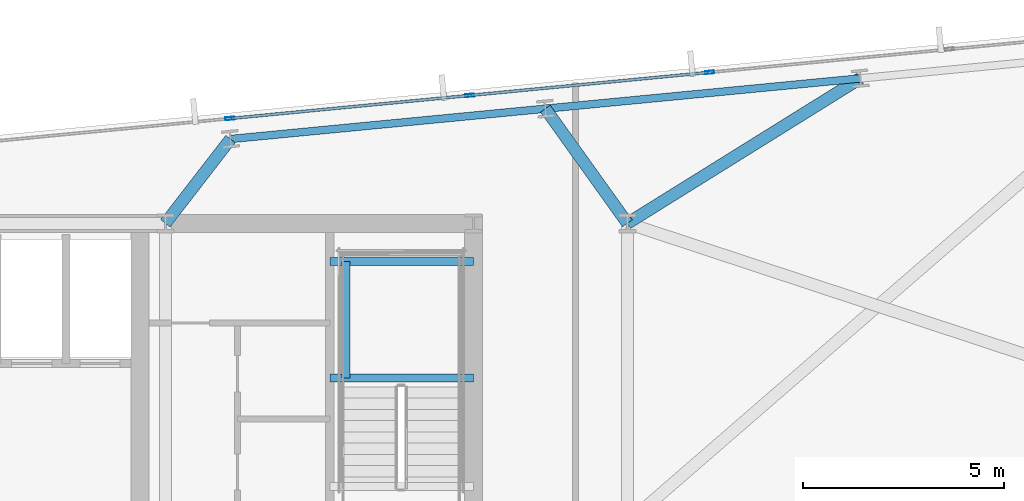
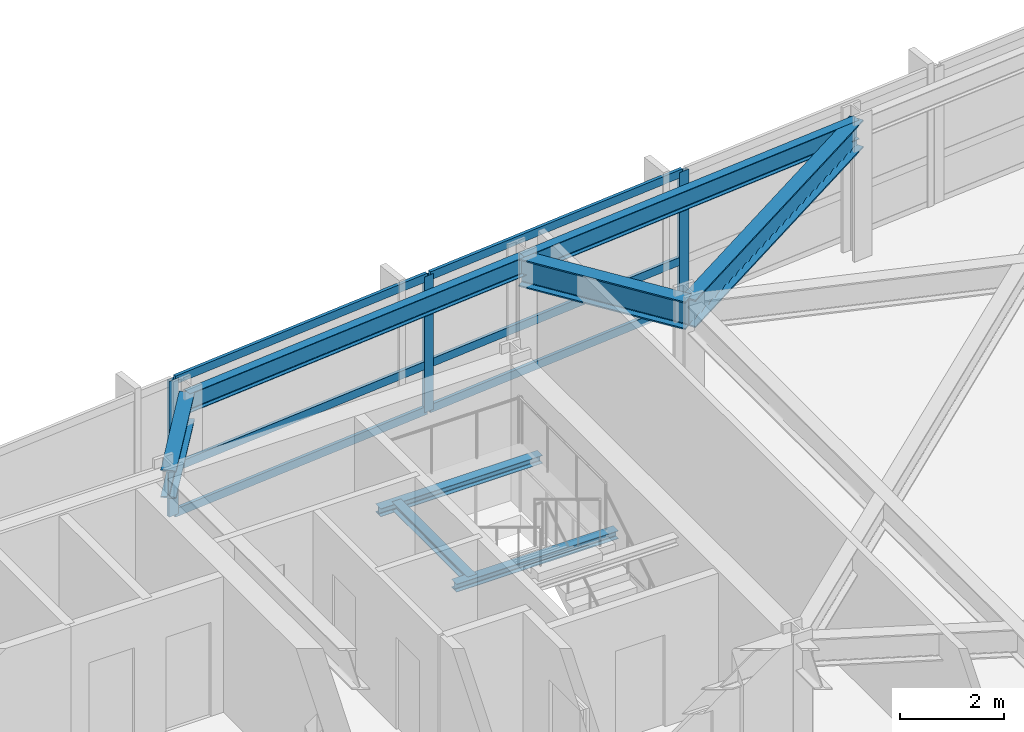
# One storey, part 21 of 33: 9 members, 8 beams, 1 element without a shape of its own.
"""IFC4 building model written with IfcOpenShell, lengths in metres."""

from ifc_helpers import new_model, si_unit, direction, frame, origin, origin_2d, place, context, subcontext, project, spatial, hollow_rectangle, i_section, extrude, material, material_profile, profile_set, type_object, element, aggregate, save


model = new_model("IFC4")

# Units and contexts
model_context = context("Model", 3, precision=1e-05, world=origin(), true_north=direction((0.0, 1.0)))
body_context = subcontext(model_context, "Body", "Model", "MODEL_VIEW")
ifc_project = project(units=[si_unit("LENGTHUNIT", "METRE"), si_unit("AREAUNIT", "SQUARE_METRE"), si_unit("VOLUMEUNIT", "CUBIC_METRE"), si_unit("PLANEANGLEUNIT", "RADIAN"), si_unit("MASSUNIT", "GRAM", prefix="KILO")], contexts=[model_context])

# Site, building, storey
site_placement = place(None, origin())
site = spatial("IfcSite", under=ifc_project, at=site_placement, CompositionType="ELEMENT")
building_placement = place(site_placement, origin())
building = spatial("IfcBuilding", under=site, at=building_placement, Name="Yelkora Congress Tower", CompositionType="ELEMENT")
storey_placement = place(building_placement, frame((0.0, 0.0, 89.699951171875)))
storey = spatial("IfcBuildingStorey", under=building, at=storey_placement, Name="L23", CompositionType="ELEMENT", Elevation=89.699951171875)

# Beams
ifc_material_1 = material(Name="Steel S355J2", Category="steel")
ifc_material_profile_1 = material_profile(ifc_material_1, i_section(OverallWidth=0.300048828125, OverallDepth=0.64990234375, WebThickness=0.01611328125, FlangeThickness=0.031005859375, FilletRadius=0.027099609375, at=origin_2d()), Name="HEB 650")
ifc_profile_set_1 = profile_set([ifc_material_profile_1], Name="Steel S355J2")
beam_type_1 = type_object("IfcBeamType", Name="BM-GIRD-HEB650", PredefinedType="BEAM", material=ifc_profile_set_1)
beam_1_placement = place(storey_placement, frame((47.70458984375, 48.300537109375, 2.85498046875), z_axis=(-0.611761448665, -0.791042306029, 0.0), x_axis=(0.791042306029, -0.611761448665, 0.0)))
element("IfcBeam", 1, at=beam_1_placement, inside=storey, type_object=beam_type_1, Name="L23 Primary Frame Girder N05", PredefinedType="BEAM", context=body_context, shape_type="SweptSolid", body=[
    extrude(i_section(OverallWidth=0.300048828125, OverallDepth=0.64990234375, WebThickness=0.01611328125, FlangeThickness=0.031005859375, FilletRadius=0.027099609375, at=origin_2d()), origin(), (0.0, 0.0, 1.0), 2.655517578125),
])
beam_2_placement = place(storey_placement, frame((55.553955078125, 49.056396484375, 2.85498046875), z_axis=(0.582335305303, -0.81294870207, 0.0), x_axis=(0.81294870207, 0.582335305303, 0.0)))
element("IfcBeam", 2, at=beam_2_placement, inside=storey, type_object=beam_type_1, Name="L23 Primary Frame Girder N06", PredefinedType="BEAM", context=body_context, shape_type="SweptSolid", body=[
    extrude(i_section(OverallWidth=0.300048828125, OverallDepth=0.64990234375, WebThickness=0.01611328125, FlangeThickness=0.031005859375, FilletRadius=0.027099609375, at=origin_2d()), origin(), (0.0, 0.0, 1.0), 3.513671875),
])
beam_3_placement = place(storey_placement, frame((63.4033203125, 49.81201171875, 2.85498046875), z_axis=(-0.848980050527, -0.528424898929, 0.0), x_axis=(0.528424898929, -0.848980050527, 0.0)))
element("IfcBeam", 3, at=beam_3_placement, inside=storey, type_object=beam_type_1, Name="L23 Primary Frame Girder N07", PredefinedType="BEAM", context=body_context, shape_type="SweptSolid", body=[
    extrude(i_section(OverallWidth=0.300048828125, OverallDepth=0.64990234375, WebThickness=0.01611328125, FlangeThickness=0.031005859375, FilletRadius=0.027099609375, at=origin_2d()), origin(), (0.0, 0.0, 1.0), 6.83544921875),
])
ifc_material_profile_2 = material_profile(ifc_material_1, i_section(OverallWidth=0.199951171875, OverallDepth=0.18994140625, WebThickness=0.006591796875, FlangeThickness=0.010009765625, FilletRadius=0.01806640625, at=origin_2d()), Name="HEA 200")
ifc_profile_set_2 = profile_set([ifc_material_profile_2], Name="Steel S355J2")
beam_type_2 = type_object("IfcBeamType", Name="BM-LAND-HEA200", PredefinedType="BEAM", material=ifc_profile_set_2)
for number, where, z_axis, x_axis, name in (
    (4, (50.179931640625, 42.340087890625, 1.384765625), (1.0, 0.0, 0.0), (0.0, 1.0, 0.0), "ST-02 L23 Landing Header Beam 1S"),
    (5, (50.179931640625, 45.25, 1.384765625), (1.0, 0.0, 0.0), (0.0, 1.0, 0.0), "ST-02 L23 Landing Header Beam 1N"),
):
    element("IfcBeam", number, at=place(storey_placement, frame(where, z_axis=z_axis, x_axis=x_axis)), inside=storey, type_object=beam_type_2, Name=name, PredefinedType="BEAM", context=body_context, shape_type="SweptSolid", body=[
        extrude(i_section(OverallWidth=0.199951171875, OverallDepth=0.18994140625, WebThickness=0.006591796875, FlangeThickness=0.010009765625, FilletRadius=0.01806640625, at=origin_2d()), origin(), (0.0, 0.0, 1.0), 3.580078125),
    ])
beam_4_placement = place(storey_placement, frame((50.580078125, 42.340087890625, 1.384765625), z_axis=(0.0, 1.0, 0.0), x_axis=(-1.0, 0.0, 0.0)))
element("IfcBeam", 6, at=beam_4_placement, inside=storey, type_object=beam_type_2, Name="ST-02 L23 Landing Trimmer Beam 1M", PredefinedType="BEAM", context=body_context, shape_type="SweptSolid", body=[
    extrude(i_section(OverallWidth=0.199951171875, OverallDepth=0.18994140625, WebThickness=0.006591796875, FlangeThickness=0.010009765625, FilletRadius=0.01806640625, at=origin_2d()), origin(), (0.0, 0.0, 1.0), 2.909912109375),
])
ifc_material_profile_3 = material_profile(ifc_material_1, i_section(OverallWidth=0.18994140625, OverallDepth=0.449951171875, WebThickness=0.009521484375, FlangeThickness=0.0146484375, FilletRadius=0.02099609375, at=origin_2d()), Name="IPE 450")
ifc_profile_set_3 = profile_set([ifc_material_profile_3], Name="Steel S355J2")
beam_type_3 = type_object("IfcBeamType", Name="BM-SPAN-IPE450", PredefinedType="SPANDREL", material=ifc_profile_set_3)
for number, where, z_axis, x_axis, name in (
    (7, (63.4033203125, 49.81201171875, 2.955078125), (-0.995398529126, -0.09582154358, 0.0), (0.09582154358, -0.995398529126, 0.0), "L23 Perimeter Beam 15"),
    (8, (55.553955078125, 49.056396484375, 2.955078125), (-0.995395575667, -0.095852219286, 0.0), (0.095852219286, -0.995395575667, 0.0), "L23 Perimeter Beam 16"),
):
    element("IfcBeam", number, at=place(storey_placement, frame(where, z_axis=z_axis, x_axis=x_axis)), inside=storey, type_object=beam_type_3, Name=name, PredefinedType="SPANDREL", context=body_context, shape_type="SweptSolid", body=[
        extrude(i_section(OverallWidth=0.18994140625, OverallDepth=0.449951171875, WebThickness=0.009521484375, FlangeThickness=0.0146484375, FilletRadius=0.02099609375, at=origin_2d()), origin(), (0.0, 0.0, 1.0), 7.8857421875),
    ])

# Curtain wall, members
ifc_material_2 = material(Name="Anodised aluminium and insulated glass", Category="aluminium")
curtain_wall_type = type_object("IfcCurtainWallType", Name="CW-SYS-SKY", PredefinedType="NOTDEFINED", material=ifc_material_2)
curtain_wall_placement = place(storey_placement, origin())
curtain_wall = element("IfcCurtainWall", 9, at=curtain_wall_placement, inside=storey, type_object=curtain_wall_type, Name="L23 Unitised Curtain Wall 10 (3)", PredefinedType="NOTDEFINED")
ifc_material_3 = material(Name="Anodised aluminium 6063-T6", Category="aluminium")
ifc_material_profile_4 = material_profile(ifc_material_3, hollow_rectangle(XDim=0.074951171875, YDim=0.219970703125, WallThickness=0.0048828125, at=origin_2d()), Name="ALU 75x220x5")
ifc_profile_set_4 = profile_set([ifc_material_profile_4], Name="Anodised aluminium 6063-T6")
member_type_1 = type_object("IfcMemberType", Name="MEM-ML-SKY", PredefinedType="MULLION", material=ifc_profile_set_4)
member_1_placement = place(storey_placement, frame((47.68603515625, 48.81103515625, 0.0), z_axis=(0.0, 0.0, 1.0), x_axis=(-0.095845465919, 0.995396225964, 0.0)))
member_1 = element("IfcMember", 10, at=member_1_placement, type_object=member_type_1, Name="CW-SKY mullion 5", PredefinedType="MULLION", context=body_context, shape_type="SweptSolid", body=[
    extrude(hollow_rectangle(XDim=0.074951171875, YDim=0.219970703125, WallThickness=0.0048828125, at=origin_2d()), origin(), (0.0, 0.0, 1.0), 3.179931640625),
])
member_2_placement = place(storey_placement, frame((53.66748046875, 49.386962890625, 0.0), z_axis=(0.0, 0.0, 1.0), x_axis=(-0.095845465919, 0.995396225964, 0.0)))
member_2 = element("IfcMember", 11, at=member_2_placement, type_object=member_type_1, Name="CW-SKY mullion 6", PredefinedType="MULLION", context=body_context, shape_type="SweptSolid", body=[
    extrude(hollow_rectangle(XDim=0.074951171875, YDim=0.219970703125, WallThickness=0.0048828125, at=origin_2d()), origin(), (0.0, 0.0, 1.0), 3.179931640625),
])
member_3_placement = place(storey_placement, frame((59.64892578125, 49.962890625, 0.0), z_axis=(0.0, 0.0, 1.0), x_axis=(-0.095845465919, 0.995396225964, 0.0)))
member_3 = element("IfcMember", 12, at=member_3_placement, type_object=member_type_1, Name="CW-SKY mullion 7", PredefinedType="MULLION", context=body_context, shape_type="SweptSolid", body=[
    extrude(hollow_rectangle(XDim=0.074951171875, YDim=0.219970703125, WallThickness=0.0048828125, at=origin_2d()), origin(), (0.0, 0.0, 1.0), 3.179931640625),
])
ifc_material_profile_5 = material_profile(ifc_material_3, hollow_rectangle(XDim=0.070068359375, YDim=0.18994140625, WallThickness=0.00390625, at=origin_2d()), Name="ALU 70x190x4")
ifc_profile_set_5 = profile_set([ifc_material_profile_5], Name="Anodised aluminium 6063-T6")
member_type_2 = type_object("IfcMemberType", Name="MEM-TR-SKY", PredefinedType="USERDEFINED", material=ifc_profile_set_5)
member_4_placement = place(storey_placement, frame((47.723388671875, 48.814697265625, 0.03515625), z_axis=(0.995394695823, 0.09586135576, 0.0), x_axis=(-0.09586135576, 0.995394695823, 0.0)))
member_4 = element("IfcMember", 13, at=member_4_placement, type_object=member_type_2, Name="CW-SKY transom 5.1", ObjectType="TRANSOM", PredefinedType="USERDEFINED", context=body_context, shape_type="SweptSolid", body=[
    extrude(hollow_rectangle(XDim=0.070068359375, YDim=0.18994140625, WallThickness=0.00390625, at=origin_2d()), origin(), (0.0, 0.0, 1.0), 5.93408203125),
])
member_5_placement = place(storey_placement, frame((47.723388671875, 48.814697265625, 1.10009765625), z_axis=(0.995394695823, 0.09586135576, 0.0), x_axis=(-0.09586135576, 0.995394695823, 0.0)))
member_5 = element("IfcMember", 14, at=member_5_placement, type_object=member_type_2, Name="CW-SKY transom 5.2", ObjectType="TRANSOM", PredefinedType="USERDEFINED", context=body_context, shape_type="SweptSolid", body=[
    extrude(hollow_rectangle(XDim=0.070068359375, YDim=0.18994140625, WallThickness=0.00390625, at=origin_2d()), origin(), (0.0, 0.0, 1.0), 5.93408203125),
])
member_6_placement = place(storey_placement, frame((47.723388671875, 48.814697265625, 3.14501953125), z_axis=(0.995394695823, 0.09586135576, 0.0), x_axis=(-0.09586135576, 0.995394695823, 0.0)))
member_6 = element("IfcMember", 15, at=member_6_placement, type_object=member_type_2, Name="CW-SKY transom 5.3", ObjectType="TRANSOM", PredefinedType="USERDEFINED", context=body_context, shape_type="SweptSolid", body=[
    extrude(hollow_rectangle(XDim=0.070068359375, YDim=0.18994140625, WallThickness=0.00390625, at=origin_2d()), origin(), (0.0, 0.0, 1.0), 5.93408203125),
])
member_7_placement = place(storey_placement, frame((53.704833984375, 49.390625, 0.03515625), z_axis=(0.995394695823, 0.09586135576, 0.0), x_axis=(-0.09586135576, 0.995394695823, 0.0)))
member_7 = element("IfcMember", 16, at=member_7_placement, type_object=member_type_2, Name="CW-SKY transom 6.1", ObjectType="TRANSOM", PredefinedType="USERDEFINED", context=body_context, shape_type="SweptSolid", body=[
    extrude(hollow_rectangle(XDim=0.070068359375, YDim=0.18994140625, WallThickness=0.00390625, at=origin_2d()), origin(), (0.0, 0.0, 1.0), 5.93408203125),
])
member_8_placement = place(storey_placement, frame((53.704833984375, 49.390625, 1.10009765625), z_axis=(0.995394695823, 0.09586135576, 0.0), x_axis=(-0.09586135576, 0.995394695823, 0.0)))
member_8 = element("IfcMember", 17, at=member_8_placement, type_object=member_type_2, Name="CW-SKY transom 6.2", ObjectType="TRANSOM", PredefinedType="USERDEFINED", context=body_context, shape_type="SweptSolid", body=[
    extrude(hollow_rectangle(XDim=0.070068359375, YDim=0.18994140625, WallThickness=0.00390625, at=origin_2d()), origin(), (0.0, 0.0, 1.0), 5.93408203125),
])
member_9_placement = place(storey_placement, frame((53.704833984375, 49.390625, 3.14501953125), z_axis=(0.995394695823, 0.09586135576, 0.0), x_axis=(-0.09586135576, 0.995394695823, 0.0)))
member_9 = element("IfcMember", 18, at=member_9_placement, type_object=member_type_2, Name="CW-SKY transom 6.3", ObjectType="TRANSOM", PredefinedType="USERDEFINED", context=body_context, shape_type="SweptSolid", body=[
    extrude(hollow_rectangle(XDim=0.070068359375, YDim=0.18994140625, WallThickness=0.00390625, at=origin_2d()), origin(), (0.0, 0.0, 1.0), 5.93408203125),
])
aggregate(curtain_wall, [member_1, member_2, member_3, member_4, member_5, member_6, member_7, member_8, member_9])

save(model, "model.ifc")
